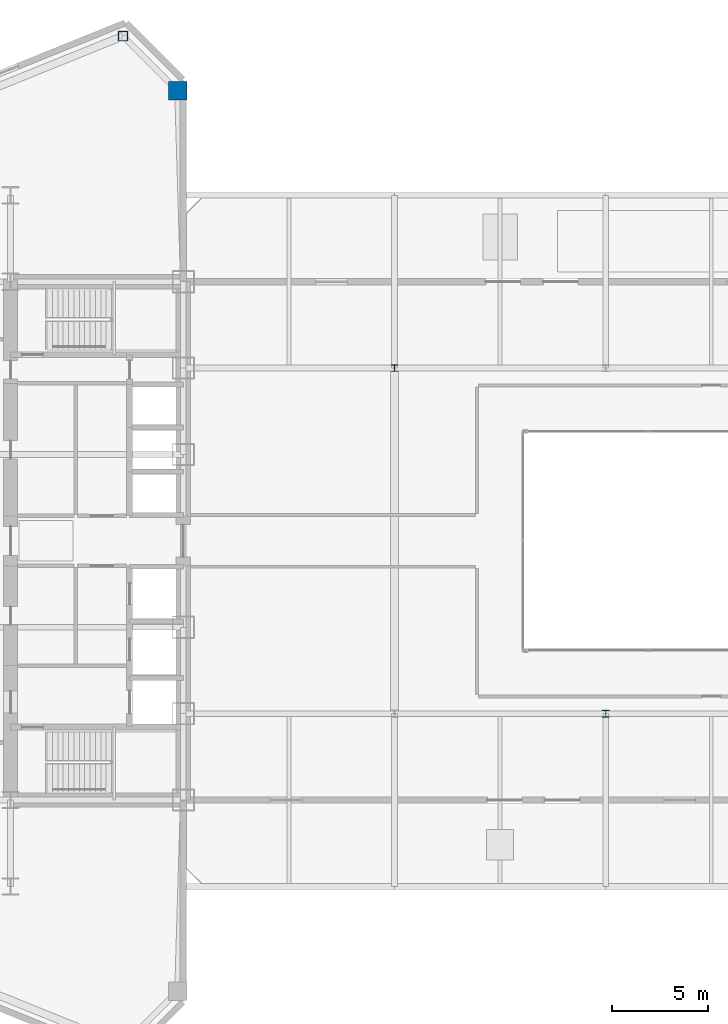
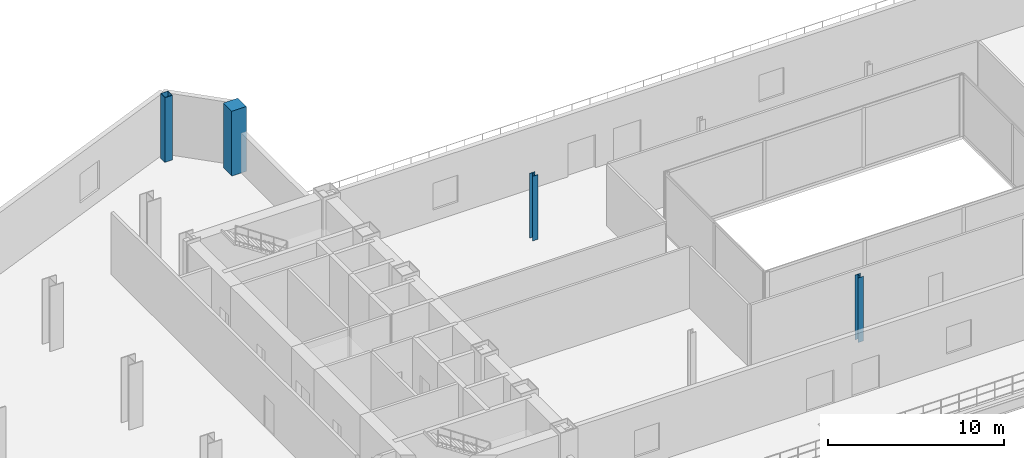
# One storey, part 4 of 23: 4 columns.
"""IFC4 building model written with IfcOpenShell, lengths in metres."""

from ifc_helpers import new_model, si_unit, direction, frame, origin, origin_2d, place, context, subcontext, project, spatial, rectangle, hollow_rectangle, i_section, extrude, source, transform, mapped, material, material_profile, profile_set, type_object, type_shapes, element, save


model = new_model("IFC4")

# Units and contexts
model_context = context("Model", 3, precision=1e-05, world=origin(), true_north=direction((0.0, 1.0)))
body_context = subcontext(model_context, "Body", "Model", "MODEL_VIEW")
ifc_project = project(units=[si_unit("LENGTHUNIT", "METRE"), si_unit("AREAUNIT", "SQUARE_METRE"), si_unit("VOLUMEUNIT", "CUBIC_METRE"), si_unit("PLANEANGLEUNIT", "RADIAN"), si_unit("MASSUNIT", "GRAM", prefix="KILO")], contexts=[model_context])

# Site, building, storey
site_placement = place(None, origin())
site = spatial("IfcSite", under=ifc_project, at=site_placement, CompositionType="ELEMENT")
building_placement = place(site_placement, origin())
building = spatial("IfcBuilding", under=site, at=building_placement, Name="Seokmaru Belvedere", CompositionType="ELEMENT")
storey_placement = place(building_placement, frame((0.0, 0.0, 14.39990234375)))
storey = spatial("IfcBuildingStorey", under=building, at=storey_placement, Name="L03", CompositionType="ELEMENT", Elevation=14.39990234375)

# Columns
ifc_material_1 = material(Name="Steel SM355 (355 MPa)", Category="steel")
ifc_material_profile_1 = material_profile(ifc_material_1, hollow_rectangle(XDim=0.5, YDim=0.5, WallThickness=0.02001953125, at=origin_2d()), Name="HSS-500x500x20")
ifc_profile_set_1 = profile_set([ifc_material_profile_1], Name="Steel SM355 (355 MPa)")
column_type_1 = type_object("IfcColumnType", Name="Perimeter Facet Column HSS-500", PredefinedType="COLUMN", material=ifc_profile_set_1)
shared_shape_1 = source(origin(), body_context, "Body", "SweptSolid", [
    extrude(hollow_rectangle(XDim=0.5, YDim=0.5, WallThickness=0.02001953125, at=origin_2d()), origin(), (0.0, 0.0, 1.0), 4.5),
])
type_shapes(column_type_1, [shared_shape_1])
column_1_placement = place(storey_placement, frame((-30.643310546875, 26.294677734375, 0.0), z_axis=(0.0, 0.0, 1.0), x_axis=(1.0, 0.0, 0.0)))
element("IfcColumn", 1, at=column_1_placement, inside=storey, type_object=column_type_1, Name="L03 Column WF3", PredefinedType="COLUMN", context=body_context, shape_type="MappedRepresentation", body=[
    mapped(shared_shape_1, transform((0.0, 0.0, 0.0), scale=1.0)),
])
ifc_material_profile_2 = material_profile(ifc_material_1, i_section(OverallWidth=0.35009765625, OverallDepth=0.35009765625, WebThickness=0.011962890625, FlangeThickness=0.01904296875, at=origin_2d()), Name="H-350x350x12x19")
ifc_profile_set_2 = profile_set([ifc_material_profile_2], Name="Steel SM355 (355 MPa)")
column_type_2 = type_object("IfcColumnType", Name="Podium Gallery Column H-350", PredefinedType="COLUMN", material=ifc_profile_set_2)
shared_shape_2 = source(origin(), body_context, "Body", "SweptSolid", [
    extrude(i_section(OverallWidth=0.35009765625, OverallDepth=0.35009765625, WebThickness=0.011962890625, FlangeThickness=0.01904296875, at=origin_2d()), origin(), (0.0, 0.0, 1.0), 4.5),
])
type_shapes(column_type_2, [shared_shape_2])
for number, where, z_axis, x_axis, name in (
    (2, (-16.5, 9.0, 0.0), (0.0, 0.0, 1.0), (1.0, 0.0, 0.0), "L03 Column CP1_4"),
    (3, (-5.5, -9.0, 0.0), (0.0, 0.0, 1.0), (1.0, 0.0, 0.0), "L03 Column CP2_3"),
):
    element("IfcColumn", number, at=place(storey_placement, frame(where, z_axis=z_axis, x_axis=x_axis)), inside=storey, type_object=column_type_2, Name=name, PredefinedType="COLUMN", context=body_context, shape_type="MappedRepresentation", body=[
        mapped(shared_shape_2, transform((0.0, 0.0, 0.0), scale=1.0)),
    ])
ifc_material_2 = material(Name="Concrete C50 (50 MPa)", Category="concrete")
ifc_material_profile_3 = material_profile(ifc_material_2, rectangle(XDim=0.9599609375, YDim=0.9599609375, at=origin_2d()), Name="RC-960x960")
ifc_profile_set_3 = profile_set([ifc_material_profile_3], Name="Concrete C50 (50 MPa)")
column_type_3 = type_object("IfcColumnType", Name="Upper Podium Terrace Column RC-960", PredefinedType="COLUMN", material=ifc_profile_set_3)
shared_shape_3 = source(origin(), body_context, "Body", "SweptSolid", [
    extrude(rectangle(XDim=0.9599609375, YDim=0.9599609375, at=origin_2d()), origin(), (0.0, 0.0, 1.0), 4.5),
])
type_shapes(column_type_3, [shared_shape_3])
column_2_placement = place(storey_placement, frame((-27.800048828125, 23.451416015625, 0.0), z_axis=(0.0, 0.0, 1.0), x_axis=(1.0, 0.0, 0.0)))
element("IfcColumn", 4, at=column_2_placement, inside=storey, type_object=column_type_3, Name="L03 Column WPM_N", PredefinedType="COLUMN", context=body_context, shape_type="MappedRepresentation", body=[
    mapped(shared_shape_3, transform((0.0, 0.0, 0.0), scale=1.0)),
])

save(model, "model.ifc")
